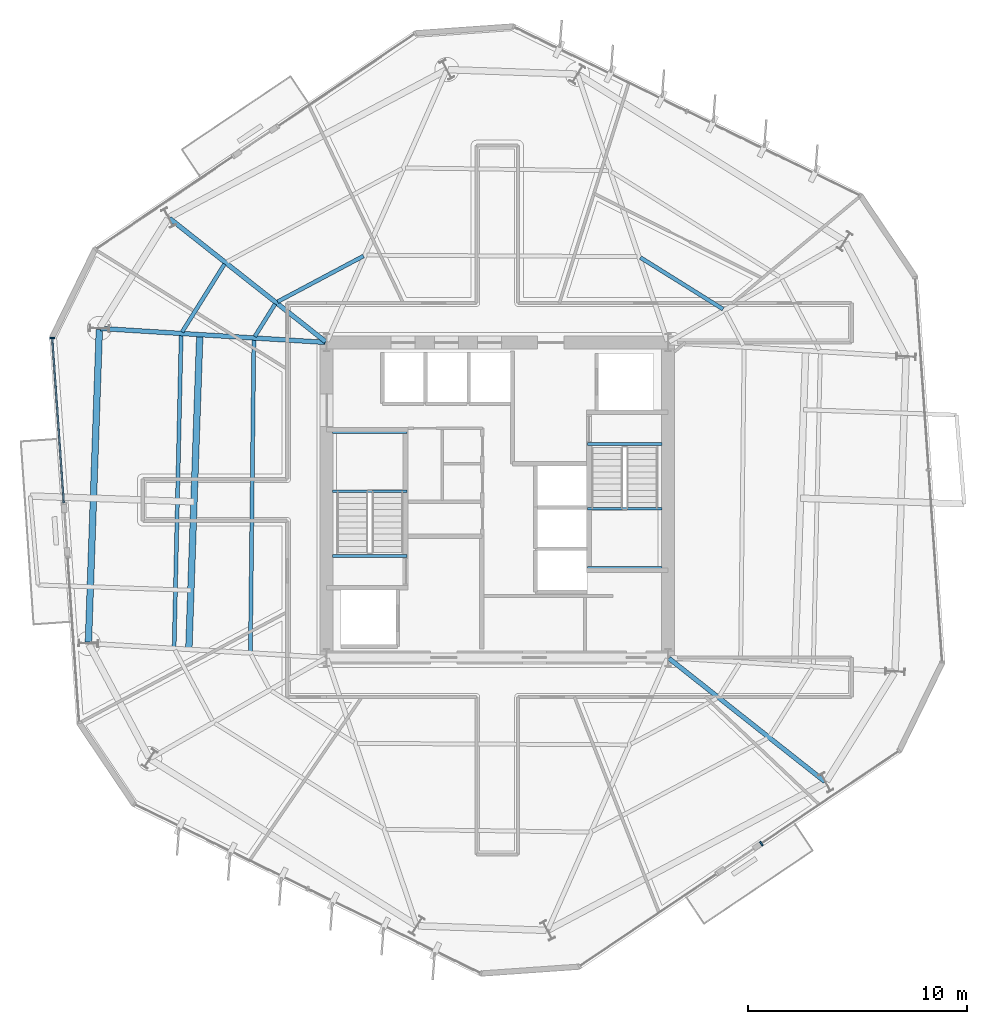
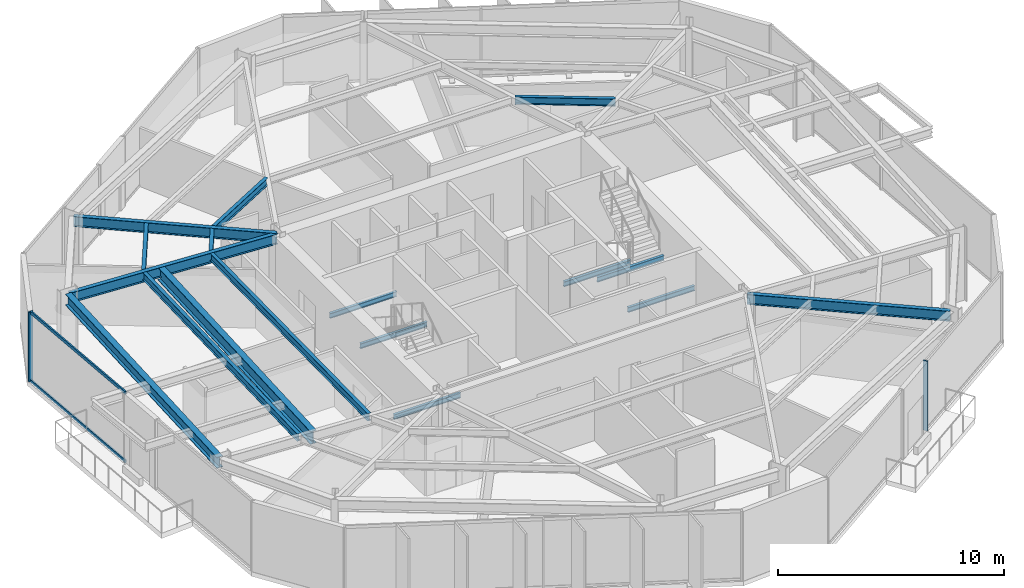
# One storey, part 3 of 14: 17 beams, 4 members, 2 elements without a shape of their own.
"""IFC4 building model written with IfcOpenShell, lengths in metres."""

from ifc_helpers import new_model, si_unit, direction, frame, origin, origin_2d, place, context, subcontext, project, spatial, rectangle, i_section, extrude, material, layer, layer_set, material_profile, profile_set, type_object, element, aggregate, save


model = new_model("IFC4")

# Units and contexts
model_context = context("Model", 3, precision=1e-05, world=origin(), true_north=direction((0.0, 1.0)))
body_context = subcontext(model_context, "Body", "Model", "MODEL_VIEW")
ifc_project = project(units=[si_unit("LENGTHUNIT", "METRE"), si_unit("AREAUNIT", "SQUARE_METRE"), si_unit("VOLUMEUNIT", "CUBIC_METRE"), si_unit("PLANEANGLEUNIT", "RADIAN"), si_unit("MASSUNIT", "GRAM", prefix="KILO")], contexts=[model_context])

# Site, building, storey
site_placement = place(None, origin())
site = spatial("IfcSite", under=ifc_project, at=site_placement, CompositionType="ELEMENT")
building_placement = place(site_placement, origin())
building = spatial("IfcBuilding", under=site, at=building_placement, Name="Kranzbogen Civic Tower", CompositionType="ELEMENT")
storey_placement = place(building_placement, frame((0.0, 0.0, 158.39990234375)))
storey = spatial("IfcBuildingStorey", under=building, at=storey_placement, Name="L38", CompositionType="ELEMENT", Elevation=158.39990234375)

# Curtain wall, member
ifc_material_1 = material(Name="Pale Anodised Aluminium", Category="aluminium")
ifc_layer = layer(ifc_material_1, 0.219970703125, Name="Pale Anodised Aluminium")
ifc_layer_set = layer_set([ifc_layer], Name="Pale Anodised Aluminium")
curtain_wall_type = type_object("IfcCurtainWallType", Name="Zone 2 Stick Curtain Wall System CW-03", PredefinedType="USERDEFINED", material=ifc_layer_set)
curtain_wall_1_placement = place(storey_placement, origin())
curtain_wall_1 = element("IfcCurtainWall", 1, at=curtain_wall_1_placement, inside=storey, type_object=curtain_wall_type, Name="L38 curtain wall CW-L38-F3-S1", ObjectType="STICK CURTAIN WALL", PredefinedType="USERDEFINED")
ifc_material_profile_1 = material_profile(ifc_material_1, rectangle(XDim=0.074951171875, YDim=0.219970703125, at=origin_2d()), Name="ALU-M 75x220")
ifc_profile_set_1 = profile_set([ifc_material_profile_1], Name="Pale Anodised Aluminium")
member_type_1 = type_object("IfcMemberType", Name="Curtain Wall Mullion ALU-M 75x220", PredefinedType="MULLION", material=ifc_profile_set_1)
member_1_placement = place(storey_placement, frame((4.6611328125, 32.403076171875, 0.0), z_axis=(0.0, 0.0, 1.0), x_axis=(0.069822609681, -0.997559423382, 0.0)))
member_1 = element("IfcMember", 2, at=member_1_placement, type_object=member_type_1, Name="CW-03 mullion 1", PredefinedType="MULLION", context=body_context, shape_type="SweptSolid", body=[
    extrude(rectangle(XDim=0.074951171875, YDim=0.219970703125, at=origin_2d()), origin(), (0.0, 0.0, 1.0), 3.760009765625),
])

curtain_wall_2_placement = place(storey_placement, origin())
curtain_wall_2 = element("IfcCurtainWall", 3, at=curtain_wall_2_placement, inside=storey, type_object=curtain_wall_type, Name="L38 curtain wall CW-L38-F5-S2", ObjectType="STICK CURTAIN WALL", PredefinedType="USERDEFINED")
member_2_placement = place(storey_placement, frame((37.075927734375, 9.295654296875, 0.0), z_axis=(0.0, 0.0, 1.0), x_axis=(0.829035410899, 0.559196108244, 0.0)))
member_2 = element("IfcMember", 4, at=member_2_placement, type_object=member_type_1, Name="CW-03 mullion 1", PredefinedType="MULLION", context=body_context, shape_type="SweptSolid", body=[
    extrude(rectangle(XDim=0.074951171875, YDim=0.219970703125, at=origin_2d()), origin(), (0.0, 0.0, 1.0), 3.760009765625),
])
aggregate(curtain_wall_2, [member_2])

# Member
ifc_material_profile_2 = material_profile(ifc_material_1, rectangle(XDim=0.074951171875, YDim=0.1650390625, at=origin_2d()), Name="ALU-T 75x165")
ifc_profile_set_2 = profile_set([ifc_material_profile_2], Name="Pale Anodised Aluminium")
member_type_2 = type_object("IfcMemberType", Name="Curtain Wall Transom ALU-T 75x165", PredefinedType="USERDEFINED", material=ifc_profile_set_2)
member_3_placement = place(storey_placement, frame((4.6630859375, 32.373046875, 0.030029296875), z_axis=(0.0698291277, -0.997558967142, 0.0), x_axis=(0.997558967142, 0.0698291277, 0.0)))
member_3 = element("IfcMember", 5, at=member_3_placement, type_object=member_type_2, Name="CW-03 transom 1.1", ObjectType="TRANSOM", PredefinedType="USERDEFINED", context=body_context, shape_type="SweptSolid", body=[
    extrude(rectangle(XDim=0.074951171875, YDim=0.1650390625, at=origin_2d()), origin(), (0.0, 0.0, 1.0), 7.513427734375),
])

member_4_placement = place(storey_placement, frame((4.6630859375, 32.373046875, 3.72998046875), z_axis=(0.0698291277, -0.997558967142, 0.0), x_axis=(0.997558967142, 0.0698291277, 0.0)))
member_4 = element("IfcMember", 6, at=member_4_placement, type_object=member_type_2, Name="CW-03 transom 1.2", ObjectType="TRANSOM", PredefinedType="USERDEFINED", context=body_context, shape_type="SweptSolid", body=[
    extrude(rectangle(XDim=0.074951171875, YDim=0.1650390625, at=origin_2d()), origin(), (0.0, 0.0, 1.0), 7.513427734375),
])

aggregate(curtain_wall_1, [member_1, member_3, member_4])

# Beams
ifc_material_2 = material(Name="Steel S355", Category="steel")
ifc_material_profile_3 = material_profile(ifc_material_2, i_section(OverallWidth=0.300048828125, OverallDepth=0.60009765625, WebThickness=0.015380859375, FlangeThickness=0.030029296875, at=origin_2d()), Name="HEB 600")
ifc_profile_set_3 = profile_set([ifc_material_profile_3], Name="Steel S355")
beam_type_1 = type_object("IfcBeamType", Name="Perimeter Tube Spandrel Beam HEB 600", PredefinedType="SPANDREL", material=ifc_profile_set_3)
beam_1_placement = place(storey_placement, frame((6.81103515625, 32.783935546875, 3.460205078125), z_axis=(-0.034924229103, -0.999389963038, 0.0), x_axis=(0.999389963038, -0.034924229103, 0.0)))
element("IfcBeam", 7, at=beam_1_placement, inside=storey, type_object=beam_type_1, Name="L38 perimeter spandrel beam 12", PredefinedType="SPANDREL", context=body_context, shape_type="SweptSolid", body=[
    extrude(i_section(OverallWidth=0.300048828125, OverallDepth=0.60009765625, WebThickness=0.015380859375, FlangeThickness=0.030029296875, at=origin_2d()), origin(), (0.0, 0.0, 1.0), 14.288818359375),
])
ifc_material_profile_4 = material_profile(ifc_material_2, i_section(OverallWidth=0.300048828125, OverallDepth=0.699951171875, WebThickness=0.01708984375, FlangeThickness=0.031982421875, at=origin_2d()), Name="HEB 700")
ifc_profile_set_4 = profile_set([ifc_material_profile_4], Name="Steel S355")
beam_type_2 = type_object("IfcBeamType", Name="Perimeter Tube Spandrel Beam HEB 700", PredefinedType="SPANDREL", material=ifc_profile_set_4)
beam_2_placement = place(storey_placement, frame((11.404052734375, 32.55908203125, 3.400146484375), z_axis=(-0.034868227602, -0.99939191847, 0.0), x_axis=(0.99939191847, -0.034868227602, 0.0)))
element("IfcBeam", 8, at=beam_2_placement, inside=storey, type_object=beam_type_2, Name="L39 balcony back-span header girder L39-TB2", PredefinedType="SPANDREL", context=body_context, shape_type="SweptSolid", body=[
    extrude(i_section(OverallWidth=0.300048828125, OverallDepth=0.699951171875, WebThickness=0.01708984375, FlangeThickness=0.031982421875, at=origin_2d()), origin(), (0.0, 0.0, 1.0), 14.395751953125),
])
ifc_material_profile_5 = material_profile(ifc_material_2, i_section(OverallWidth=0.2099609375, OverallDepth=0.550048828125, WebThickness=0.010986328125, FlangeThickness=0.01708984375, at=origin_2d()), Name="IPE 550")
ifc_profile_set_5 = profile_set([ifc_material_profile_5], Name="Steel S355")
beam_type_3 = type_object("IfcBeamType", Name="Radial Tower Floor Girder IPE 550", PredefinedType="BEAM", material=ifc_profile_set_5)
for number, where, z_axis, x_axis, name in (
    (9, (39.97607421875, 12.12890625, 3.485107421875), (-0.78457455683, 0.620034486763, 0.0), (-0.620034486763, -0.78457455683, 0.0), "L38 radial floor girder 05"),
    (10, (10.02392578125, 37.87109375, 3.485107421875), (0.78457455683, -0.620034486763, 0.0), (0.620034486763, 0.78457455683, 0.0), "L38 radial floor girder 11"),
):
    element("IfcBeam", number, at=place(storey_placement, frame(where, z_axis=z_axis, x_axis=x_axis)), inside=storey, type_object=beam_type_3, Name=name, PredefinedType="BEAM", context=body_context, shape_type="SweptSolid", body=[
        extrude(i_section(OverallWidth=0.2099609375, OverallDepth=0.550048828125, WebThickness=0.010986328125, FlangeThickness=0.01708984375, at=origin_2d()), origin(), (0.0, 0.0, 1.0), 9.086669921875),
    ])
beam_3_placement = place(storey_placement, frame((6.873046875, 32.840087890625, 3.485107421875), z_axis=(0.998086872961, -0.061827130147, 0.0), x_axis=(0.061827130147, 0.998086872961, 0.0)))
element("IfcBeam", 11, at=beam_3_placement, inside=storey, type_object=beam_type_3, Name="L38 radial floor girder 12", PredefinedType="BEAM", context=body_context, shape_type="SweptSolid", body=[
    extrude(i_section(OverallWidth=0.2099609375, OverallDepth=0.550048828125, WebThickness=0.010986328125, FlangeThickness=0.01708984375, at=origin_2d()), origin(), (0.0, 0.0, 1.0), 10.28662109375),
])
ifc_material_profile_6 = material_profile(ifc_material_2, i_section(OverallWidth=0.179931640625, OverallDepth=0.39990234375, WebThickness=0.008544921875, FlangeThickness=0.013427734375, at=origin_2d()), Name="IPE 400")
ifc_profile_set_6 = profile_set([ifc_material_profile_6], Name="Steel S355")
beam_type_4 = type_object("IfcBeamType", Name="Secondary Composite Floor Joist IPE 400", PredefinedType="JOIST", material=ifc_profile_set_6)
beam_4_placement = place(storey_placement, frame((35.320068359375, 33.72412109375, 3.56005859375), z_axis=(-0.848093834398, 0.529846060716, 0.0), x_axis=(-0.529846060716, -0.848093834398, 0.0)))
element("IfcBeam", 12, at=beam_4_placement, inside=storey, type_object=beam_type_4, Name="L38 secondary floor joist 2.08", PredefinedType="JOIST", context=body_context, shape_type="SweptSolid", body=[
    extrude(i_section(OverallWidth=0.179931640625, OverallDepth=0.39990234375, WebThickness=0.008544921875, FlangeThickness=0.013427734375, at=origin_2d()), origin(), (0.0, 0.0, 1.0), 4.4501953125),
])
beam_5_placement = place(storey_placement, frame((18.888916015625, 36.153076171875, 3.56005859375), z_axis=(-0.882991399158, -0.469389165844, 0.0), x_axis=(0.469389165844, -0.882991399158, 0.0)))
element("IfcBeam", 13, at=beam_5_placement, inside=storey, type_object=beam_type_4, Name="L38 secondary floor joist 2.10", PredefinedType="JOIST", context=body_context, shape_type="SweptSolid", body=[
    extrude(i_section(OverallWidth=0.179931640625, OverallDepth=0.39990234375, WebThickness=0.008544921875, FlangeThickness=0.013427734375, at=origin_2d()), origin(), (0.0, 0.0, 1.0), 4.45068359375),
])
beam_6_placement = place(storey_placement, frame((12.534912109375, 35.784912109375, 3.56005859375), z_axis=(-0.529867065107, -0.848080711557, 0.0), x_axis=(0.848080711557, -0.529867065107, 0.0)))
element("IfcBeam", 14, at=beam_6_placement, inside=storey, type_object=beam_type_4, Name="L38 secondary floor joist 1.11", PredefinedType="JOIST", context=body_context, shape_type="SweptSolid", body=[
    extrude(i_section(OverallWidth=0.179931640625, OverallDepth=0.39990234375, WebThickness=0.008544921875, FlangeThickness=0.013427734375, at=origin_2d()), origin(), (0.0, 0.0, 1.0), 3.6611328125),
])
beam_7_placement = place(storey_placement, frame((14.845947265625, 33.958984375, 3.56005859375), z_axis=(-0.529572623603, -0.84826460278, 0.0), x_axis=(0.84826460278, -0.529572623603, 0.0)))
element("IfcBeam", 15, at=beam_7_placement, inside=storey, type_object=beam_type_4, Name="L38 secondary floor joist 2.11", PredefinedType="JOIST", context=body_context, shape_type="SweptSolid", body=[
    extrude(i_section(OverallWidth=0.179931640625, OverallDepth=0.39990234375, WebThickness=0.008544921875, FlangeThickness=0.013427734375, at=origin_2d()), origin(), (0.0, 0.0, 1.0), 1.75048828125),
])
beam_8_placement = place(storey_placement, frame((10.551025390625, 32.531982421875, 3.56005859375), z_axis=(-0.022402523442, -0.999749031979, 0.0), x_axis=(0.999749031979, -0.022402523442, 0.0)))
element("IfcBeam", 16, at=beam_8_placement, inside=storey, type_object=beam_type_4, Name="L38 secondary floor joist 1.12", PredefinedType="JOIST", context=body_context, shape_type="SweptSolid", body=[
    extrude(i_section(OverallWidth=0.179931640625, OverallDepth=0.39990234375, WebThickness=0.008544921875, FlangeThickness=0.013427734375, at=origin_2d()), origin(), (0.0, 0.0, 1.0), 14.24365234375),
])
beam_9_placement = place(storey_placement, frame((13.875, 32.325927734375, 3.56005859375), z_axis=(-0.011160516663, -0.999937719494, 0.0), x_axis=(0.999937719494, -0.011160516663, 0.0)))
element("IfcBeam", 17, at=beam_9_placement, inside=storey, type_object=beam_type_4, Name="L38 secondary floor joist 2.12", PredefinedType="JOIST", context=body_context, shape_type="SweptSolid", body=[
    extrude(i_section(OverallWidth=0.179931640625, OverallDepth=0.39990234375, WebThickness=0.008544921875, FlangeThickness=0.013427734375, at=origin_2d()), origin(), (0.0, 0.0, 1.0), 14.240966796875),
])
ifc_material_profile_7 = material_profile(ifc_material_2, i_section(OverallWidth=0.135009765625, OverallDepth=0.27001953125, WebThickness=0.006591796875, FlangeThickness=0.01025390625, at=origin_2d()), Name="IPE 270")
ifc_profile_set_7 = profile_set([ifc_material_profile_7], Name="Steel S355")
beam_type_5 = type_object("IfcBeamType", Name="Stair Landing Support Beam IPE 270", PredefinedType="JOIST", material=ifc_profile_set_7)
for number, where, z_axis, x_axis, name in (
    (18, (20.8798828125, 22.43994140625, -0.375), (-1.0, 0.0, 0.0), (0.0, -1.0, 0.0), "L38 ST-T1 stair floor header beam"),
    (19, (20.8798828125, 25.39990234375, 1.6650390625), (-1.0, 0.0, 0.0), (0.0, -1.0, 0.0), "L38 ST-T1 landing support beam 1.1"),
    (20, (20.8798828125, 28.10009765625, 1.6650390625), (-1.0, 0.0, 0.0), (0.0, -1.0, 0.0), "L38 ST-T1 landing support beam 1.2"),
    (21, (29.1201171875, 27.56005859375, -0.375), (1.0, 0.0, 0.0), (0.0, 1.0, 0.0), "L38 ST-T2 stair floor header beam"),
    (22, (29.1201171875, 24.60009765625, 1.6650390625), (1.0, 0.0, 0.0), (0.0, 1.0, 0.0), "L38 ST-T2 landing support beam 1.1"),
    (23, (29.1201171875, 21.89990234375, 1.6650390625), (1.0, 0.0, 0.0), (0.0, 1.0, 0.0), "L38 ST-T2 landing support beam 1.2"),
):
    element("IfcBeam", number, at=place(storey_placement, frame(where, z_axis=z_axis, x_axis=x_axis)), inside=storey, type_object=beam_type_5, Name=name, PredefinedType="JOIST", context=body_context, shape_type="SweptSolid", body=[
        extrude(i_section(OverallWidth=0.135009765625, OverallDepth=0.27001953125, WebThickness=0.006591796875, FlangeThickness=0.01025390625, at=origin_2d()), origin(), (0.0, 0.0, 1.0), 3.409912109375),
    ])

save(model, "model.ifc")
